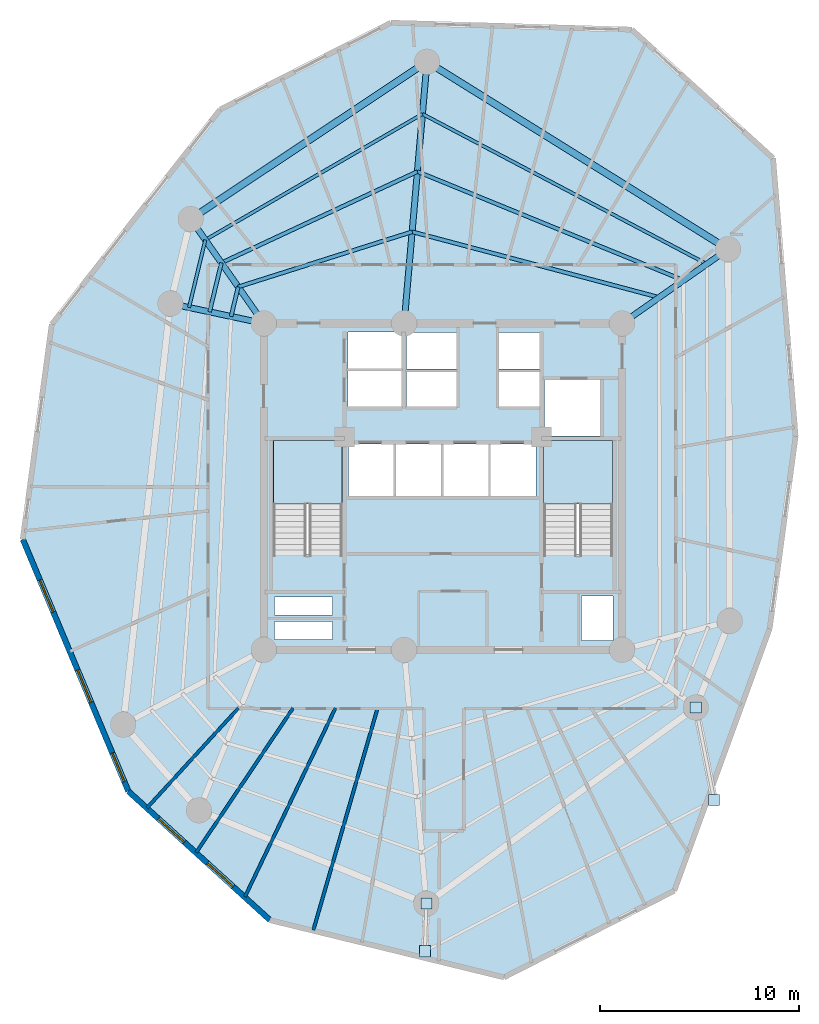
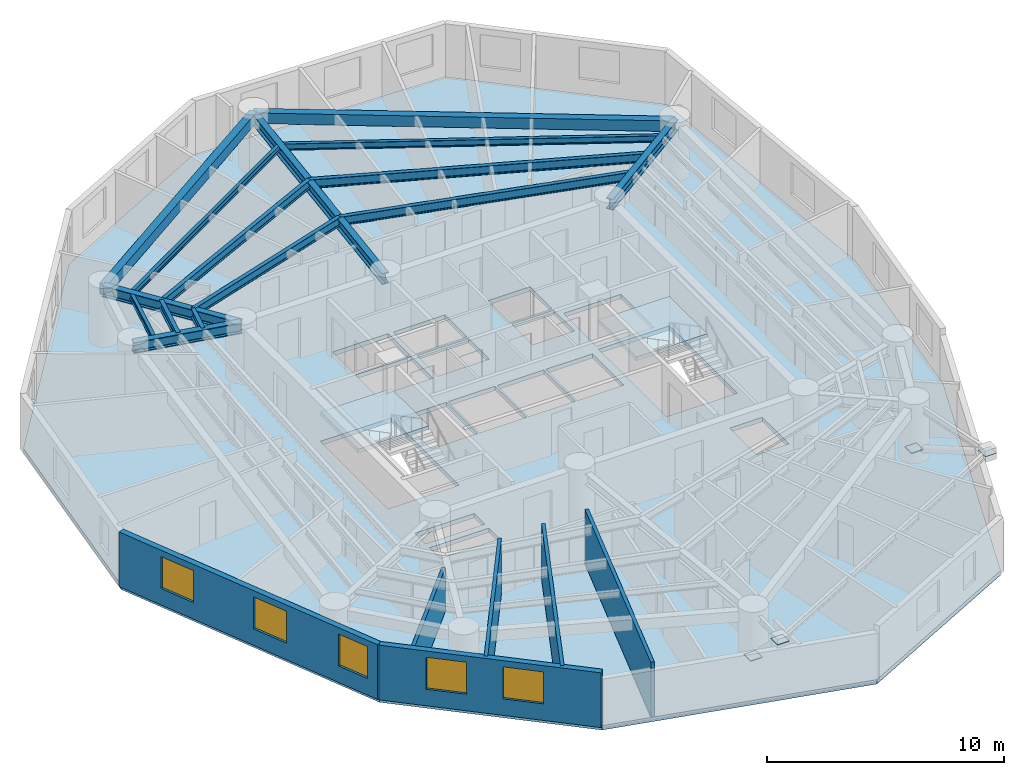
# One storey, part 2 of 8: 15 beams, 6 walls, 5 windows, 4 plates, 3 slabs, 5 openings, 2 elements without a shape of their own.
"""IFC4 building model written with IfcOpenShell, lengths in metres."""

from ifc_helpers import new_model, si_unit, direction, frame, frame_2d, origin, origin_with_axes, origin_2d, place, context, subcontext, project, spatial, polyline, rectangle, i_section, outline, extrude, source, transform, mapped, material, layer, layer_set, material_profile, profile_set, type_object, element, fill, aggregate, save


model = new_model("IFC4")

# Units and contexts
model_context = context("Model", 3, precision=1e-05, world=origin(), true_north=direction((0.0, 1.0)))
body_context = subcontext(model_context, "Body", "Model", "MODEL_VIEW")
ifc_project = project(units=[si_unit("LENGTHUNIT", "METRE"), si_unit("AREAUNIT", "SQUARE_METRE"), si_unit("VOLUMEUNIT", "CUBIC_METRE"), si_unit("PLANEANGLEUNIT", "RADIAN"), si_unit("MASSUNIT", "GRAM", prefix="KILO")], contexts=[model_context])

# Site, building, storey
site_placement = place(None, origin())
site = spatial("IfcSite", under=ifc_project, at=site_placement, CompositionType="ELEMENT")
building_placement = place(site_placement, origin())
building = spatial("IfcBuilding", under=site, at=building_placement, Name="Karkom Vertical University and Central Library", CompositionType="ELEMENT")
storey_placement = place(building_placement, frame((0.0, 0.0, 168.75)))
storey = spatial("IfcBuildingStorey", under=building, at=storey_placement, Name="L48", CompositionType="ELEMENT", Elevation=168.75)

# Beams
ifc_material_1 = material(Name="Precast concrete C45/55", Category="concrete")
ifc_material_profile_1 = material_profile(ifc_material_1, rectangle(XDim=0.35009765625, YDim=0.550048828125, at=origin_2d()), Name="SPB-350x550")
ifc_profile_set_1 = profile_set([ifc_material_profile_1], Name="Precast concrete C45/55")
beam_type_1 = type_object("IfcBeamType", Name="STR-BM-SP-2", PredefinedType="SPANDREL", material=ifc_profile_set_1)
shared_shape_1 = source(origin_with_axes(), body_context, "Body", "SweptSolid", [
    extrude(rectangle(XDim=0.35009765625, YDim=0.550048828125, at=origin_2d()), origin(), (0.0, 0.0, 1.0), 17.81884765625),
])
beam_1_placement = place(storey_placement, frame((42.823974609375, 38.427978515625, 2.550048828125), z_axis=(-0.848764070164, 0.528771740167, 0.0), x_axis=(-0.528771740167, -0.848764070164, 0.0)))
element("IfcBeam", 1, at=beam_1_placement, inside=storey, type_object=beam_type_1, Name="Level 48 Perimeter Spandrel Beam 02", PredefinedType="SPANDREL", context=body_context, shape_type="MappedRepresentation", body=[
    mapped(shared_shape_1, transform((0.0, 0.0, 0.0), scale=1.0)),
])
shared_shape_2 = source(origin_with_axes(), body_context, "Body", "SweptSolid", [
    extrude(rectangle(XDim=0.35009765625, YDim=0.550048828125, at=origin_2d()), origin(), (0.0, 0.0, 1.0), 14.26318359375),
])
beam_2_placement = place(storey_placement, frame((27.699951171875, 47.85009765625, 2.550048828125), z_axis=(-0.83227406272, -0.554364396876, 0.0), x_axis=(0.554364396876, -0.83227406272, 0.0)))
element("IfcBeam", 2, at=beam_2_placement, inside=storey, type_object=beam_type_1, Name="Level 48 Perimeter Spandrel Beam 03", PredefinedType="SPANDREL", context=body_context, shape_type="MappedRepresentation", body=[
    mapped(shared_shape_2, transform((0.0, 0.0, 0.0), scale=1.0)),
])
ifc_material_2 = material(Name="Steel S355", Category="steel")
ifc_material_profile_2 = material_profile(ifc_material_2, i_section(OverallWidth=0.18994140625, OverallDepth=0.449951171875, WebThickness=0.009521484375, FlangeThickness=0.0146484375, FilletRadius=0.02099609375, at=origin_2d()), Name="IPE 450")
ifc_profile_set_2 = profile_set([ifc_material_profile_2], Name="Steel S355")
beam_type_2 = type_object("IfcBeamType", Name="STR-BM-SB-IPE450", PredefinedType="BEAM", material=ifc_profile_set_2)
shared_shape_3 = source(origin_with_axes(), body_context, "Body", "SweptSolid", [
    extrude(i_section(OverallWidth=0.18994140625, OverallDepth=0.449951171875, WebThickness=0.009521484375, FlangeThickness=0.0146484375, FilletRadius=0.02099609375, at=origin_2d()), origin(), (0.0, 0.0, 1.0), 12.841552734375),
])
beam_3_placement = place(storey_placement, frame((39.36328125, 36.0048828125, 2.60009765625), z_axis=(-0.96646647674, 0.256792814032, 0.0), x_axis=(-0.256792814032, -0.96646647674, 0.0)))
element("IfcBeam", 3, at=beam_3_placement, inside=storey, type_object=beam_type_2, Name="Level 48 Secondary Composite Floor Beam 1.02", PredefinedType="BEAM", context=body_context, shape_type="MappedRepresentation", body=[
    mapped(shared_shape_3, transform((0.0, 0.0, 0.0), scale=1.0)),
])
shared_shape_4 = source(origin_with_axes(), body_context, "Body", "SweptSolid", [
    extrude(i_section(OverallWidth=0.18994140625, OverallDepth=0.449951171875, WebThickness=0.009521484375, FlangeThickness=0.0146484375, FilletRadius=0.02099609375, at=origin_2d()), origin(), (0.0, 0.0, 1.0), 9.1650390625),
])
beam_4_placement = place(storey_placement, frame((26.952392578125, 39.302490234375, 2.60009765625), z_axis=(-0.953318200449, -0.301967562319, 0.0), x_axis=(0.301967562319, -0.953318200449, 0.0)))
element("IfcBeam", 4, at=beam_4_placement, inside=storey, type_object=beam_type_2, Name="Level 48 Secondary Composite Floor Beam 1.03", PredefinedType="BEAM", context=body_context, shape_type="MappedRepresentation", body=[
    mapped(shared_shape_4, transform((0.0, 0.0, 0.0), scale=1.0)),
])
shared_shape_5 = source(origin_with_axes(), body_context, "Body", "SweptSolid", [
    extrude(i_section(OverallWidth=0.18994140625, OverallDepth=0.449951171875, WebThickness=0.009521484375, FlangeThickness=0.0146484375, FilletRadius=0.02099609375, at=origin_2d()), origin(), (0.0, 0.0, 1.0), 1.5283203125),
])
beam_5_placement = place(storey_placement, frame((18.215087890625, 36.534912109375, 2.60009765625), z_axis=(-0.234520804587, -0.972111100757, 0.0), x_axis=(0.972111100757, -0.234520804587, 0.0)))
element("IfcBeam", 5, at=beam_5_placement, inside=storey, type_object=beam_type_2, Name="Level 48 Secondary Composite Floor Beam 1.04", PredefinedType="BEAM", context=body_context, shape_type="MappedRepresentation", body=[
    mapped(shared_shape_5, transform((0.0, 0.0, 0.0), scale=1.0)),
])
shared_shape_6 = source(origin_with_axes(), body_context, "Body", "SweptSolid", [
    extrude(i_section(OverallWidth=0.18994140625, OverallDepth=0.449951171875, WebThickness=0.009521484375, FlangeThickness=0.0146484375, FilletRadius=0.02099609375, at=origin_2d()), origin(), (0.0, 0.0, 1.0), 14.4443359375),
])
beam_6_placement = place(storey_placement, frame((40.587890625, 36.8623046875, 2.60009765625), z_axis=(-0.925675328736, 0.378318894281, 0.0), x_axis=(-0.378318894281, -0.925675328736, 0.0)))
element("IfcBeam", 6, at=beam_6_placement, inside=storey, type_object=beam_type_2, Name="Level 48 Secondary Composite Floor Beam 2.02", PredefinedType="BEAM", context=body_context, shape_type="MappedRepresentation", body=[
    mapped(shared_shape_6, transform((0.0, 0.0, 0.0), scale=1.0)),
])
shared_shape_7 = source(origin_with_axes(), body_context, "Body", "SweptSolid", [
    extrude(i_section(OverallWidth=0.18994140625, OverallDepth=0.449951171875, WebThickness=0.009521484375, FlangeThickness=0.0146484375, FilletRadius=0.02099609375, at=origin_2d()), origin(), (0.0, 0.0, 1.0), 10.86181640625),
])
beam_7_placement = place(storey_placement, frame((27.217041015625, 42.326904296875, 2.60009765625), z_axis=(-0.90649871419, -0.422208575436, 0.0), x_axis=(0.422208575436, -0.90649871419, 0.0)))
element("IfcBeam", 7, at=beam_7_placement, inside=storey, type_object=beam_type_2, Name="Level 48 Secondary Composite Floor Beam 2.03", PredefinedType="BEAM", context=body_context, shape_type="MappedRepresentation", body=[
    mapped(shared_shape_7, transform((0.0, 0.0, 0.0), scale=1.0)),
])
shared_shape_8 = source(origin_with_axes(), body_context, "Body", "SweptSolid", [
    extrude(i_section(OverallWidth=0.18994140625, OverallDepth=0.449951171875, WebThickness=0.009521484375, FlangeThickness=0.0146484375, FilletRadius=0.02099609375, at=origin_2d()), origin(), (0.0, 0.0, 1.0), 2.53271484375),
])
beam_8_placement = place(storey_placement, frame((17.370849609375, 37.740966796875, 2.60009765625), z_axis=(-0.234521178828, -0.972111010472, 0.0), x_axis=(0.972111010472, -0.234521178828, 0.0)))
element("IfcBeam", 8, at=beam_8_placement, inside=storey, type_object=beam_type_2, Name="Level 48 Secondary Composite Floor Beam 2.04", PredefinedType="BEAM", context=body_context, shape_type="MappedRepresentation", body=[
    mapped(shared_shape_8, transform((0.0, 0.0, 0.0), scale=1.0)),
])
ifc_material_profile_3 = material_profile(ifc_material_2, i_section(OverallWidth=0.159912109375, OverallDepth=0.330078125, WebThickness=0.007568359375, FlangeThickness=0.011474609375, FilletRadius=0.01806640625, at=origin_2d()), Name="IPE 330")
ifc_profile_set_3 = profile_set([ifc_material_profile_3], Name="Steel S355")
beam_type_3 = type_object("IfcBeamType", Name="STR-BM-SB-IPE330", PredefinedType="BEAM", material=ifc_profile_set_3)
shared_shape_9 = source(origin_with_axes(), body_context, "Body", "SweptSolid", [
    extrude(i_section(OverallWidth=0.159912109375, OverallDepth=0.330078125, WebThickness=0.007568359375, FlangeThickness=0.011474609375, FilletRadius=0.01806640625, at=origin_2d()), origin(), (0.0, 0.0, 1.0), 16.155517578125),
])
beam_9_placement = place(storey_placement, frame((41.75927734375, 37.682373046875, 2.659912109375), z_axis=(-0.884486447848, 0.466565883423, 0.0), x_axis=(-0.466565883423, -0.884486447848, 0.0)))
element("IfcBeam", 9, at=beam_9_placement, inside=storey, type_object=beam_type_3, Name="Level 48 Secondary Composite Floor Beam 3.02", PredefinedType="BEAM", context=body_context, shape_type="MappedRepresentation", body=[
    mapped(shared_shape_9, transform((0.0, 0.0, 0.0), scale=1.0)),
])
shared_shape_10 = source(origin_with_axes(), body_context, "Body", "SweptSolid", [
    extrude(i_section(OverallWidth=0.159912109375, OverallDepth=0.330078125, WebThickness=0.007568359375, FlangeThickness=0.011474609375, FilletRadius=0.01806640625, at=origin_2d()), origin(), (0.0, 0.0, 1.0), 12.6083984375),
])
beam_10_placement = place(storey_placement, frame((27.469970703125, 45.219970703125, 2.659912109375), z_axis=(-0.865038920595, -0.50170475965, 0.0), x_axis=(0.50170475965, -0.865038920595, 0.0)))
element("IfcBeam", 10, at=beam_10_placement, inside=storey, type_object=beam_type_3, Name="Level 48 Secondary Composite Floor Beam 3.03", PredefinedType="BEAM", context=body_context, shape_type="MappedRepresentation", body=[
    mapped(shared_shape_10, transform((0.0, 0.0, 0.0), scale=1.0)),
])
shared_shape_11 = source(origin_with_axes(), body_context, "Body", "SweptSolid", [
    extrude(i_section(OverallWidth=0.159912109375, OverallDepth=0.330078125, WebThickness=0.007568359375, FlangeThickness=0.011474609375, FilletRadius=0.01806640625, at=origin_2d()), origin(), (0.0, 0.0, 1.0), 3.493408203125),
])
beam_11_placement = place(storey_placement, frame((16.563232421875, 38.894287109375, 2.659912109375), z_axis=(-0.234535781995, -0.972107487351, 0.0), x_axis=(0.972107487351, -0.234535781995, 0.0)))
element("IfcBeam", 11, at=beam_11_placement, inside=storey, type_object=beam_type_3, Name="Level 48 Secondary Composite Floor Beam 3.04", PredefinedType="BEAM", context=body_context, shape_type="MappedRepresentation", body=[
    mapped(shared_shape_11, transform((0.0, 0.0, 0.0), scale=1.0)),
])
ifc_material_profile_4 = material_profile(ifc_material_2, i_section(OverallWidth=0.300048828125, OverallDepth=0.550048828125, WebThickness=0.014892578125, FlangeThickness=0.029052734375, FilletRadius=0.027099609375, at=origin_2d()), Name="HE 550 B")
ifc_profile_set_4 = profile_set([ifc_material_profile_4], Name="Steel S355")
beam_type_4 = type_object("IfcBeamType", Name="STR-BM-SB-HE550", PredefinedType="USERDEFINED", material=ifc_profile_set_4)
shared_shape_12 = source(origin_with_axes(), body_context, "Body", "SweptSolid", [
    extrude(i_section(OverallWidth=0.300048828125, OverallDepth=0.550048828125, WebThickness=0.014892578125, FlangeThickness=0.029052734375, FilletRadius=0.027099609375, at=origin_2d()), origin(), (0.0, 0.0, 1.0), 6.49951171875),
])
beam_12_placement = place(storey_placement, frame((37.5, 34.699951171875, 2.550048828125), z_axis=(0.819141909878, 0.573590909517, 0.0), x_axis=(-0.573590909517, 0.819141909878, 0.0)))
element("IfcBeam", 12, at=beam_12_placement, inside=storey, type_object=beam_type_4, Name="Level 48 Radial Frame Girder 02", ObjectType="GIRDER", PredefinedType="USERDEFINED", context=body_context, shape_type="MappedRepresentation", body=[
    mapped(shared_shape_12, transform((0.0, 0.0, 0.0), scale=1.0)),
])
shared_shape_13 = source(origin_with_axes(), body_context, "Body", "SweptSolid", [
    extrude(i_section(OverallWidth=0.300048828125, OverallDepth=0.550048828125, WebThickness=0.014892578125, FlangeThickness=0.029052734375, FilletRadius=0.027099609375, at=origin_2d()), origin(), (0.0, 0.0, 1.0), 13.200439453125),
])
beam_13_placement = place(storey_placement, frame((26.550048828125, 34.699951171875, 2.550048828125), z_axis=(0.087111657164, 0.996198554098, 0.0), x_axis=(-0.996198554098, 0.087111657164, 0.0)))
element("IfcBeam", 13, at=beam_13_placement, inside=storey, type_object=beam_type_4, Name="Level 48 Radial Frame Girder 03", ObjectType="GIRDER", PredefinedType="USERDEFINED", context=body_context, shape_type="MappedRepresentation", body=[
    mapped(shared_shape_13, transform((0.0, 0.0, 0.0), scale=1.0)),
])
shared_shape_14 = source(origin_with_axes(), body_context, "Body", "SweptSolid", [
    extrude(i_section(OverallWidth=0.300048828125, OverallDepth=0.550048828125, WebThickness=0.014892578125, FlangeThickness=0.029052734375, FilletRadius=0.027099609375, at=origin_2d()), origin(), (0.0, 0.0, 1.0), 6.400390625),
])
beam_14_placement = place(storey_placement, frame((19.5, 34.699951171875, 2.550048828125), z_axis=(-0.573534022273, 0.81918174131, 0.0), x_axis=(-0.81918174131, -0.573534022273, 0.0)))
element("IfcBeam", 14, at=beam_14_placement, inside=storey, type_object=beam_type_4, Name="Level 48 Radial Frame Girder 04", ObjectType="GIRDER", PredefinedType="USERDEFINED", context=body_context, shape_type="MappedRepresentation", body=[
    mapped(shared_shape_14, transform((0.0, 0.0, 0.0), scale=1.0)),
])
shared_shape_15 = source(origin_with_axes(), body_context, "Body", "SweptSolid", [
    extrude(i_section(OverallWidth=0.300048828125, OverallDepth=0.550048828125, WebThickness=0.014892578125, FlangeThickness=0.029052734375, FilletRadius=0.027099609375, at=origin_2d()), origin(), (0.0, 0.0, 1.0), 4.800048828125),
])
beam_15_placement = place(storey_placement, frame((19.5, 34.699951171875, 2.550048828125), z_axis=(-0.978144241295, 0.207927495108, 0.0), x_axis=(-0.207927495108, -0.978144241295, 0.0)))
element("IfcBeam", 15, at=beam_15_placement, inside=storey, type_object=beam_type_4, Name="Level 48 Radial Frame Girder 05", ObjectType="GIRDER", PredefinedType="USERDEFINED", context=body_context, shape_type="MappedRepresentation", body=[
    mapped(shared_shape_15, transform((0.0, 0.0, 0.0), scale=1.0)),
])

# Stair, slab
ifc_material_3 = material(Name="Concrete C45/55", Category="concrete")
stair_type = type_object("IfcStairType", Name="INT-STR-ST-MAIN", PredefinedType="HALF_TURN_STAIR", material=ifc_material_3)
stair_1_placement = place(storey_placement, origin())
stair_1 = element("IfcStair", 16, at=stair_1_placement, inside=storey, type_object=stair_type, Name="Level 48 Tower Protected Exit Stair ST-1", PredefinedType="HALF_TURN_STAIR")
ifc_layer_1 = layer(ifc_material_3, 0.199951171875)
ifc_layer_set_1 = layer_set([ifc_layer_1], Name="Concrete C45/55")
slab_type_1 = type_object("IfcSlabType", Name="INT-SLB-LANDING", PredefinedType="LANDING", material=ifc_layer_set_1)
slab_1_placement = place(storey_placement, frame((0.0, 0.0, 1.324951171875)))
slab_1 = element("IfcSlab", 17, at=slab_1_placement, type_object=slab_type_1, Name="ST-1 landing 1", PredefinedType="LANDING", context=body_context, shape_type="SweptSolid", body=[
    extrude(outline(polyline([(23.43994140625, 25.6298828125), (23.43994140625, 28.820068359375), (19.97998046875, 28.820068359375), (19.97998046875, 25.6298828125), (23.43994140625, 25.6298828125)])), origin(), (0.0, 0.0, 1.0), 0.199951171875),
])
aggregate(stair_1, [slab_1])

stair_2_placement = place(storey_placement, origin())
stair_2 = element("IfcStair", 18, at=stair_2_placement, inside=storey, type_object=stair_type, Name="Level 48 Tower Protected Exit Stair ST-2", PredefinedType="HALF_TURN_STAIR")
slab_2_placement = place(storey_placement, frame((0.0, 0.0, 1.324951171875)))
slab_2 = element("IfcSlab", 19, at=slab_2_placement, type_object=slab_type_1, Name="ST-2 landing 1", PredefinedType="LANDING", context=body_context, shape_type="SweptSolid", body=[
    extrude(outline(polyline([(37.02001953125, 25.6298828125), (37.02001953125, 28.820068359375), (33.56005859375, 28.820068359375), (33.56005859375, 25.6298828125), (37.02001953125, 25.6298828125)])), origin(), (0.0, 0.0, 1.0), 0.199951171875),
])
aggregate(stair_2, [slab_2])

# Slab
ifc_layer_2 = layer(ifc_material_3, 0.22509765625)
ifc_layer_set_2 = layer_set([ifc_layer_2], Name="Concrete C45/55")
slab_type_2 = type_object("IfcSlabType", Name="STR-SLB-FLR-225", PredefinedType="FLOOR", material=ifc_layer_set_2)
slab_3_placement = place(storey_placement, frame((0.0, 0.0, -0.22509765625)))
element("IfcSlab", 20, at=slab_3_placement, inside=storey, type_object=slab_type_2, Name="Level 48 Tower Structural Floor Slab", PredefinedType="FLOOR", context=body_context, shape_type="SweptSolid", body=[
    extrude(outline(polyline([(8.848388671875, 34.650390625), (7.391357421875, 23.84619140625), (12.692138671875, 11.194091796875), (19.8046875, 4.722900390625), (31.5673828125, 1.85009765625), (40.12158203125, 6.19677734375), (44.914306640625, 19.375732421875), (46.215087890625, 29.02197265625), (45.08447265625, 42.999755859375), (37.987060546875, 49.45703125), (25.883544921875, 49.802490234375), (17.31103515625, 45.446533203125), (8.848388671875, 34.650390625)]), holes=[polyline([(19.97998046875, 23.0849609375), (23.43994140625, 23.0849609375), (23.43994140625, 28.820068359375), (19.97998046875, 28.820068359375), (19.97998046875, 23.0849609375)]), polyline([(33.56005859375, 23.0849609375), (37.02001953125, 23.0849609375), (37.02001953125, 28.820068359375), (33.56005859375, 28.820068359375), (33.56005859375, 23.0849609375)]), polyline([(23.75, 26.0), (26.030029296875, 26.0), (26.030029296875, 28.64990234375), (23.75, 28.64990234375), (23.75, 26.0)]), polyline([(26.1298828125, 26.0), (28.409912109375, 26.0), (28.409912109375, 28.64990234375), (26.1298828125, 28.64990234375), (26.1298828125, 26.0)]), polyline([(28.510009765625, 26.0), (30.7900390625, 26.0), (30.7900390625, 28.64990234375), (28.510009765625, 28.64990234375), (28.510009765625, 26.0)]), polyline([(30.889892578125, 26.0), (33.169921875, 26.0), (33.169921875, 28.64990234375), (30.889892578125, 28.64990234375), (30.889892578125, 26.0)]), polyline([(26.679931640625, 30.5), (29.199951171875, 30.5), (29.199951171875, 32.25), (26.679931640625, 32.25), (26.679931640625, 30.5)]), polyline([(26.679931640625, 32.39990234375), (29.199951171875, 32.39990234375), (29.199951171875, 34.25), (26.679931640625, 34.25), (26.679931640625, 32.39990234375)]), polyline([(31.300048828125, 30.5), (33.35009765625, 30.5), (33.35009765625, 32.25), (31.300048828125, 32.25), (31.300048828125, 30.5)]), polyline([(31.300048828125, 32.39990234375), (33.35009765625, 32.39990234375), (33.35009765625, 34.25), (31.300048828125, 34.25), (31.300048828125, 32.39990234375)]), polyline([(23.719970703125, 30.47998046875), (26.429931640625, 30.47998046875), (26.429931640625, 32.320068359375), (23.719970703125, 32.320068359375), (23.719970703125, 30.47998046875)]), polyline([(23.719970703125, 32.419921875), (26.429931640625, 32.419921875), (26.429931640625, 34.260009765625), (23.719970703125, 34.260009765625), (23.719970703125, 32.419921875)]), polyline([(33.60009765625, 29.050048828125), (36.39990234375, 29.050048828125), (36.39990234375, 31.85009765625), (33.60009765625, 31.85009765625), (33.60009765625, 29.050048828125)]), polyline([(20.050048828125, 18.820068359375), (22.949951171875, 18.820068359375), (22.949951171875, 19.719970703125), (20.050048828125, 19.719970703125), (20.050048828125, 18.820068359375)]), polyline([(20.050048828125, 20.06005859375), (22.949951171875, 20.06005859375), (22.949951171875, 20.9599609375), (20.050048828125, 20.9599609375), (20.050048828125, 20.06005859375)]), polyline([(35.4599609375, 18.760009765625), (37.0400390625, 18.760009765625), (37.0400390625, 21.010009765625), (35.4599609375, 21.010009765625), (35.4599609375, 18.760009765625)])]), origin(), (0.0, 0.0, 1.0), 0.22509765625),
])

# Plates
ifc_layer_3 = layer(ifc_material_2, 0.028076171875)
ifc_layer_set_3 = layer_set([ifc_layer_3], Name="Steel S355")
plate_type = type_object("IfcPlateType", Name="STR-PLT-GP-2", PredefinedType="USERDEFINED", material=ifc_layer_set_3)
shared_shape_16 = source(origin_with_axes(), body_context, "Body", "SweptSolid", [
    extrude(rectangle(XDim=0.56005859375, YDim=0.56005859375, at=origin_2d()), origin(), (0.0, 0.0, 1.0), 0.028076171875),
])
for number, where, z_axis, x_axis, name in (
    (21, (27.666015625, 5.549072265625, 0.3359375), (0.0, 0.0, 1.0), (1.0, 0.0, 0.0), "Level 48 Node Gusset Cap Plate L48-SKG-KNEE-1 A"),
    (22, (27.59326171875, 3.156494140625, 2.64599609375), (0.0, 0.0, 1.0), (1.0, 0.0, 0.0), "Level 48 Node Gusset Cap Plate L48-SKG-KNEE-1 B"),
    (23, (41.2041015625, 15.406005859375, 0.3359375), (0.0, 0.0, 1.0), (1.0, 0.0, 0.0), "Level 48 Node Gusset Cap Plate L48-SKG-KNEE-2 A"),
    (24, (42.1220703125, 10.764892578125, 2.64599609375), (0.0, 0.0, 1.0), (1.0, 0.0, 0.0), "Level 48 Node Gusset Cap Plate L48-SKG-KNEE-2 B"),
):
    element("IfcPlate", number, at=place(storey_placement, frame(where, z_axis=z_axis, x_axis=x_axis)), inside=storey, type_object=plate_type, Name=name, ObjectType="GUSSET PLATE", PredefinedType="USERDEFINED", context=body_context, shape_type="MappedRepresentation", body=[
        mapped(shared_shape_16, transform((0.0, 0.0, 0.0), scale=1.0)),
    ])

# Wall, openings, windows
ifc_material_4 = material(Name="Brick-faced precast concrete C45/55", Category="masonry")
ifc_layer_4 = layer(ifc_material_4, 0.280029296875)
ifc_layer_set_4 = layer_set([ifc_layer_4], Name="Brick-faced precast concrete C45/55")
wall_type_1 = type_object("IfcWallType", Name="ENV-WL-BRK-280", PredefinedType="SOLIDWALL", material=ifc_layer_set_4)
wall_1_placement = place(storey_placement, frame((7.391357421875, 23.84619140625, 0.0), z_axis=(0.0, 0.0, 1.0), x_axis=(0.386420521241, -0.922322709665, 0.0)))
wall_1 = element("IfcWall", 25, at=wall_1_placement, inside=storey, type_object=wall_type_1, Name="Level 48 Brick-Faced Precast Facade Wall 02", PredefinedType="SOLIDWALL", context=body_context, shape_type="SweptSolid", body=[
    extrude(rectangle(XDim=13.717529296875, YDim=0.280029296875, at=frame_2d((6.85888671875, 0.0))), origin(), (0.0, 0.0, 1.0), 2.824951171875),
])
opening_1_placement = place(wall_1_placement, frame((2.206298828125, 0.0, 0.85009765625)))
opening_1 = element("IfcOpeningElement", 26, at=opening_1_placement, cuts=wall_1, Name="Opening WN-08", PredefinedType="OPENING", context=body_context, shape_type="SweptSolid", body=[
    extrude(rectangle(XDim=1.75, YDim=1.64990234375, at=frame_2d((0.875, 0.824951171875))), frame((0.0, 0.14990234375, 0.0), z_axis=(0.0, -1.0, 0.0), x_axis=(1.0, 0.0, 0.0)), (0.0, 0.0, 1.0), 0.300048828125),
])
opening_2_placement = place(wall_1_placement, frame((7.120849609375, 0.0, 0.85009765625)))
opening_2 = element("IfcOpeningElement", 27, at=opening_2_placement, cuts=wall_1, Name="Opening WN-08", PredefinedType="OPENING", context=body_context, shape_type="SweptSolid", body=[
    extrude(rectangle(XDim=1.75, YDim=1.64990234375, at=frame_2d((0.875, 0.824951171875))), frame((0.0, 0.14990234375, 0.0), z_axis=(0.0, -1.0, 0.0), x_axis=(1.0, 0.0, 0.0)), (0.0, 0.0, 1.0), 0.300048828125),
])
opening_3_placement = place(wall_1_placement, frame((11.638427734375, 0.0, 0.85009765625)))
opening_3 = element("IfcOpeningElement", 28, at=opening_3_placement, cuts=wall_1, Name="Opening WN-09", PredefinedType="OPENING", context=body_context, shape_type="SweptSolid", body=[
    extrude(rectangle(XDim=1.550048828125, YDim=1.64990234375, at=frame_2d((0.77490234375, 0.824951171875))), frame((0.0, 0.14990234375, 0.0), z_axis=(0.0, -1.0, 0.0), x_axis=(1.0, 0.0, 0.0)), (0.0, 0.0, 1.0), 0.300048828125),
])
ifc_material_5 = material(Name="Aluminium thermal-break frame with solar-control IGU", Category="aluminium")
window_type_1 = type_object("IfcWindowType", Name="ENV-WIN-WN-08", PartitioningType="SINGLE_PANEL", PredefinedType="WINDOW", material=ifc_material_5)
shared_shape_17 = source(origin_with_axes(), body_context, "Body", "SweptSolid", [
    extrude(rectangle(XDim=1.75, YDim=1.64990234375, at=frame_2d((0.875, 0.824951171875))), frame((0.0, 0.030029296875, 0.0), z_axis=(0.0, -1.0, 0.0), x_axis=(1.0, 0.0, 0.0)), (0.0, 0.0, 1.0), 0.06005859375),
])
window_1_placement = place(opening_1_placement, origin())
window_1 = element("IfcWindow", 29, at=window_1_placement, inside=storey, type_object=window_type_1, Name="Level 48 Punched Window 2.1", OverallHeight=1.64990234375, OverallWidth=1.75, PartitioningType="SINGLE_PANEL", PredefinedType="WINDOW", context=body_context, shape_type="MappedRepresentation", body=[
    mapped(shared_shape_17, transform((0.0, 0.0, 0.0), scale=1.0)),
])
fill(opening_1, window_1)
window_2_placement = place(opening_2_placement, origin())
window_2 = element("IfcWindow", 30, at=window_2_placement, inside=storey, type_object=window_type_1, Name="Level 48 Punched Window 2.2", OverallHeight=1.64990234375, OverallWidth=1.75, PartitioningType="SINGLE_PANEL", PredefinedType="WINDOW", context=body_context, shape_type="MappedRepresentation", body=[
    mapped(shared_shape_17, transform((0.0, 0.0, 0.0), scale=1.0)),
])
fill(opening_2, window_2)
window_type_2 = type_object("IfcWindowType", Name="ENV-WIN-WN-09", PartitioningType="SINGLE_PANEL", PredefinedType="WINDOW", material=ifc_material_5)
shared_shape_18 = source(origin_with_axes(), body_context, "Body", "SweptSolid", [
    extrude(rectangle(XDim=1.550048828125, YDim=1.64990234375, at=frame_2d((0.77490234375, 0.824951171875))), frame((0.0, 0.030029296875, 0.0), z_axis=(0.0, -1.0, 0.0), x_axis=(1.0, 0.0, 0.0)), (0.0, 0.0, 1.0), 0.06005859375),
])
window_3_placement = place(opening_3_placement, origin())
window_3 = element("IfcWindow", 31, at=window_3_placement, inside=storey, type_object=window_type_2, Name="Level 48 Punched Window 2.3", OverallHeight=1.64990234375, OverallWidth=1.550048828125, PartitioningType="SINGLE_PANEL", PredefinedType="WINDOW", context=body_context, shape_type="MappedRepresentation", body=[
    mapped(shared_shape_18, transform((0.0, 0.0, 0.0), scale=1.0)),
])
fill(opening_3, window_3)

wall_2_placement = place(storey_placement, frame((12.692138671875, 11.194091796875, 0.0), z_axis=(0.0, 0.0, 1.0), x_axis=(0.739668886852, -0.67297097844, 0.0)))
wall_2 = element("IfcWall", 32, at=wall_2_placement, inside=storey, type_object=wall_type_1, Name="Level 48 Brick-Faced Precast Facade Wall 03", PredefinedType="SOLIDWALL", context=body_context, shape_type="SweptSolid", body=[
    extrude(rectangle(XDim=9.615966796875, YDim=0.280029296875, at=frame_2d((4.80810546875, 0.0))), origin(), (0.0, 0.0, 1.0), 2.824951171875),
])
opening_4_placement = place(wall_2_placement, frame((2.048583984375, 0.0, 0.85009765625)))
opening_4 = element("IfcOpeningElement", 33, at=opening_4_placement, cuts=wall_2, Name="Opening WN-08", PredefinedType="OPENING", context=body_context, shape_type="SweptSolid", body=[
    extrude(rectangle(XDim=1.75, YDim=1.64990234375, at=frame_2d((0.875, 0.824951171875))), frame((0.0, 0.14990234375, 0.0), z_axis=(0.0, -1.0, 0.0), x_axis=(1.0, 0.0, 0.0)), (0.0, 0.0, 1.0), 0.300048828125),
])
opening_5_placement = place(wall_2_placement, frame((5.364501953125, 0.0, 0.85009765625)))
opening_5 = element("IfcOpeningElement", 34, at=opening_5_placement, cuts=wall_2, Name="Opening WN-08", PredefinedType="OPENING", context=body_context, shape_type="SweptSolid", body=[
    extrude(rectangle(XDim=1.75, YDim=1.64990234375, at=frame_2d((0.875, 0.824951171875))), frame((0.0, 0.14990234375, 0.0), z_axis=(0.0, -1.0, 0.0), x_axis=(1.0, 0.0, 0.0)), (0.0, 0.0, 1.0), 0.300048828125),
])
window_4_placement = place(opening_4_placement, origin())
window_4 = element("IfcWindow", 35, at=window_4_placement, inside=storey, type_object=window_type_1, Name="Level 48 Punched Window 3.1", OverallHeight=1.64990234375, OverallWidth=1.75, PartitioningType="SINGLE_PANEL", PredefinedType="WINDOW", context=body_context, shape_type="MappedRepresentation", body=[
    mapped(shared_shape_17, transform((0.0, 0.0, 0.0), scale=1.0)),
])
fill(opening_4, window_4)
window_5_placement = place(opening_5_placement, origin())
window_5 = element("IfcWindow", 36, at=window_5_placement, inside=storey, type_object=window_type_1, Name="Level 48 Punched Window 3.2", OverallHeight=1.64990234375, OverallWidth=1.75, PartitioningType="SINGLE_PANEL", PredefinedType="WINDOW", context=body_context, shape_type="MappedRepresentation", body=[
    mapped(shared_shape_17, transform((0.0, 0.0, 0.0), scale=1.0)),
])
fill(opening_5, window_5)

# Walls
ifc_material_6 = material(Name="Insulated metal-stud drywall 160mm", Category="gypsum")
ifc_layer_5 = layer(ifc_material_6, 0.159912109375)
ifc_layer_set_5 = layer_set([ifc_layer_5], Name="Insulated metal-stud drywall 160mm")
wall_type_2 = type_object("IfcWallType", Name="INT-WL-COR-160", PredefinedType="PARTITIONING", material=ifc_layer_set_5)
wall_3_placement = place(storey_placement, frame((25.218994140625, 15.37890625, 0.0), z_axis=(0.0, 0.0, 1.0), x_axis=(-0.277990744835, -0.960583752614, 0.0)))
element("IfcWall", 37, at=wall_3_placement, inside=storey, type_object=wall_type_2, Name="Level 48 Interior Partition Wall L48-PW-007", PredefinedType="PARTITIONING", context=body_context, shape_type="SweptSolid", body=[
    extrude(rectangle(XDim=11.62158203125, YDim=0.159912109375, at=frame_2d((5.810791015625, 0.0))), origin(), (0.0, 0.0, 1.0), 2.824951171875),
])
wall_4_placement = place(storey_placement, frame((23.099609375, 15.377197265625, 0.0), z_axis=(0.0, 0.0, 1.0), x_axis=(-0.432373169731, -0.901694761045, 0.0)))
element("IfcWall", 38, at=wall_4_placement, inside=storey, type_object=wall_type_2, Name="Level 48 Interior Partition Wall L48-PW-006", PredefinedType="PARTITIONING", context=body_context, shape_type="SweptSolid", body=[
    extrude(rectangle(XDim=10.5126953125, YDim=0.159912109375, at=frame_2d((5.25634765625, 0.0))), origin(), (0.0, 0.0, 1.0), 2.824951171875),
])
wall_5_placement = place(storey_placement, frame((20.97021484375, 15.375, 0.0), z_axis=(0.0, 0.0, 1.0), x_axis=(-0.556788758436, -0.830654126866, 0.0)))
element("IfcWall", 39, at=wall_5_placement, inside=storey, type_object=wall_type_2, Name="Level 48 Interior Partition Wall L48-PW-005", PredefinedType="PARTITIONING", context=body_context, shape_type="SweptSolid", body=[
    extrude(rectangle(XDim=8.732666015625, YDim=0.159912109375, at=frame_2d((4.3662109375, 0.0))), origin(), (0.0, 0.0, 1.0), 2.824951171875),
])
wall_6_placement = place(storey_placement, frame((18.22509765625, 15.3720703125, 0.0), z_axis=(0.0, 0.0, 1.0), x_axis=(-0.675483575818, -0.737375032667, 0.0)))
element("IfcWall", 40, at=wall_6_placement, inside=storey, type_object=wall_type_2, Name="Level 48 Interior Partition Wall L48-PW-004", PredefinedType="PARTITIONING", context=body_context, shape_type="SweptSolid", body=[
    extrude(rectangle(XDim=6.788818359375, YDim=0.159912109375, at=frame_2d((3.39453125, 0.0))), origin(), (0.0, 0.0, 1.0), 2.27490234375),
])

save(model, "model.ifc")
